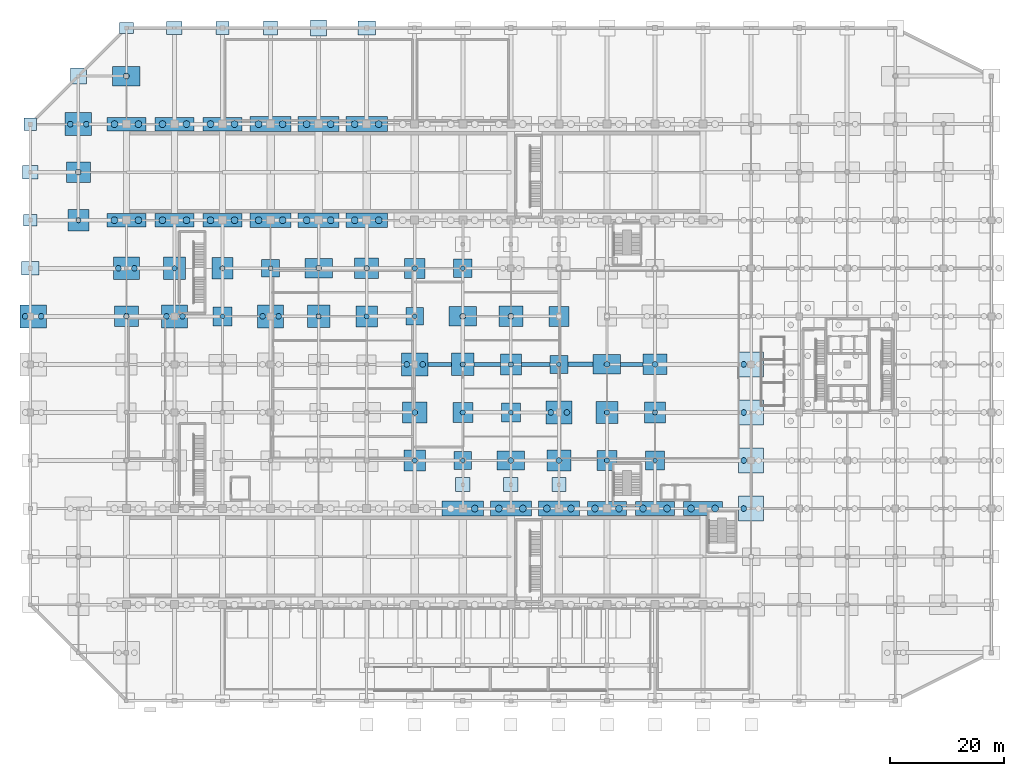
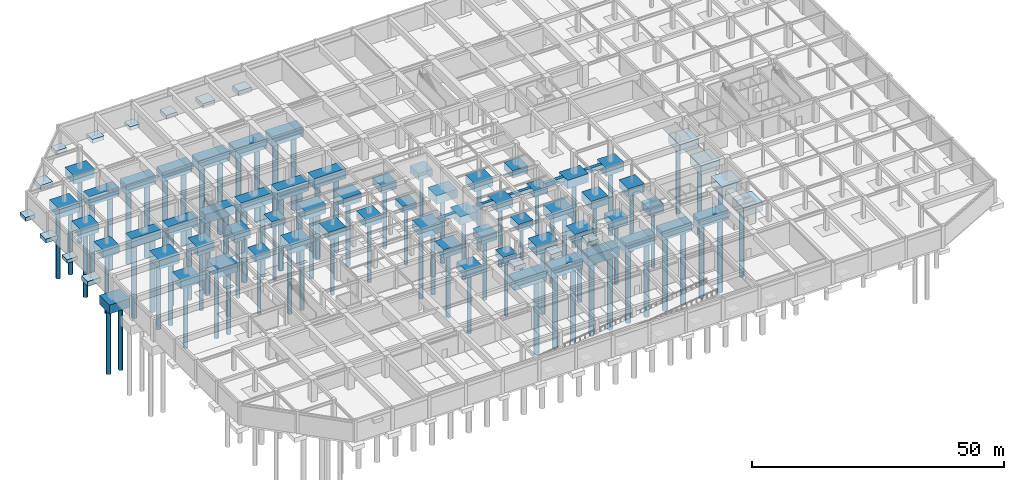
# One storey, part 2 of 26: 86 piles, 82 footings.
"""IFC4 building model written with IfcOpenShell, lengths in metres."""

from ifc_helpers import new_model, si_unit, direction, frame, origin, origin_2d, place, context, subcontext, project, spatial, rectangle, circle, extrude, material, material_profile, profile_set, type_object, element, save


model = new_model("IFC4")

# Units and contexts
model_context = context("Model", 3, precision=1e-05, world=origin(), true_north=direction((0.0, 1.0)))
body_context = subcontext(model_context, "Body", "Model", "MODEL_VIEW")
ifc_project = project(units=[si_unit("LENGTHUNIT", "METRE"), si_unit("AREAUNIT", "SQUARE_METRE"), si_unit("VOLUMEUNIT", "CUBIC_METRE"), si_unit("PLANEANGLEUNIT", "RADIAN"), si_unit("MASSUNIT", "GRAM", prefix="KILO")], contexts=[model_context])

# Site, building, storey
site_placement = place(None, origin())
site = spatial("IfcSite", under=ifc_project, at=site_placement, CompositionType="ELEMENT")
building_placement = place(site_placement, origin())
building = spatial("IfcBuilding", under=site, at=building_placement, Name="Xuanlan Plaza Opera House", CompositionType="ELEMENT")
storey_placement = place(building_placement, frame((0.0, 0.0, -5.39990234375)))
storey = spatial("IfcBuildingStorey", under=building, at=storey_placement, Name="B01", CompositionType="ELEMENT", Elevation=-5.39990234375)

# Footings
ifc_material_1 = material(Name="Concrete C40", Category="concrete")
footing_type_1 = type_object("IfcFootingType", Name="STR-FTG-FB-01", PredefinedType="FOOTING_BEAM", material=ifc_material_1)
footing_1_placement = place(storey_placement, frame((88.35009765625, 58.800048828125, -1.0), z_axis=(0.0, 0.0, 1.0), x_axis=(1.0, 0.0, 0.0)))
element("IfcFooting", 1, at=footing_1_placement, inside=storey, type_object=footing_type_1, Name="Foundation Tie Beam 11-12/H", PredefinedType="FOOTING_BEAM", context=body_context, shape_type="SweptSolid", body=[
    extrude(rectangle(XDim=5.0, YDim=0.699951171875, at=origin_2d()), origin(), (0.0, 0.0, 1.0), 1.0),
])
footing_type_2 = type_object("IfcFootingType", Name="STR-FTG-FB-02", PredefinedType="FOOTING_BEAM", material=ifc_material_1)
footing_2_placement = place(storey_placement, frame((96.175048828125, 58.800048828125, -1.10009765625), z_axis=(0.0, 0.0, 1.0), x_axis=(1.0, 0.0, 0.0)))
element("IfcFooting", 2, at=footing_2_placement, inside=storey, type_object=footing_type_2, Name="Foundation Tie Beam 12-13/H", PredefinedType="FOOTING_BEAM", context=body_context, shape_type="SweptSolid", body=[
    extrude(rectangle(XDim=4.449951171875, YDim=0.800048828125, at=origin_2d()), origin(), (0.0, 0.0, 1.0), 1.10009765625),
])
footing_type_3 = type_object("IfcFootingType", Name="STR-FTG-FB-03", PredefinedType="FOOTING_BEAM", material=ifc_material_1)
footing_3_placement = place(storey_placement, frame((71.574951171875, 58.800048828125, -1.05029296875), z_axis=(0.0, 0.0, 1.0), x_axis=(1.0, 0.0, 0.0)))
element("IfcFooting", 3, at=footing_3_placement, inside=storey, type_object=footing_type_3, Name="Foundation Tie Beam 9-10/H", PredefinedType="FOOTING_BEAM", context=body_context, shape_type="SweptSolid", body=[
    extrude(rectangle(XDim=4.14990234375, YDim=0.75, at=origin_2d()), origin(), (0.0, 0.0, 1.0), 1.050048828125),
])
footing_4_placement = place(storey_placement, frame((105.14990234375, 58.800048828125, -1.05029296875), z_axis=(0.0, 0.0, 1.0), x_axis=(1.0, 0.0, 0.0)))
element("IfcFooting", 4, at=footing_4_placement, inside=storey, type_object=footing_type_3, Name="Foundation Tie Beam 13-14/H", PredefinedType="FOOTING_BEAM", context=body_context, shape_type="SweptSolid", body=[
    extrude(rectangle(XDim=3.89990234375, YDim=0.75, at=origin_2d()), origin(), (0.0, 0.0, 1.0), 1.050048828125),
])
footing_type_4 = type_object("IfcFootingType", Name="STR-FTG-FB-04", PredefinedType="FOOTING_BEAM", material=ifc_material_1)
footing_5_placement = place(storey_placement, frame((79.85009765625, 58.800048828125, -0.9501953125), z_axis=(0.0, 0.0, 1.0), x_axis=(1.0, 0.0, 0.0)))
element("IfcFooting", 5, at=footing_5_placement, inside=storey, type_object=footing_type_4, Name="Foundation Tie Beam 10-11/H", PredefinedType="FOOTING_BEAM", context=body_context, shape_type="SweptSolid", body=[
    extrude(rectangle(XDim=4.60009765625, YDim=0.64990234375, at=origin_2d()), origin(), (0.0, 0.0, 1.0), 0.949951171875),
])
footing_type_5 = type_object("IfcFootingType", Name="STR-FTG-PC-01", PredefinedType="PILE_CAP", material=ifc_material_1)
for number, where, z_axis, x_axis, name in (
    (6, (42.0, 75.60009765625, -1.60009765625), (0.0, 0.0, 1.0), (1.0, 0.0, 0.0), "Podium Pile Cap 6-J"),
    (7, (67.199951171875, 67.199951171875, -1.60009765625), (0.0, 0.0, 1.0), (1.0, 0.0, 0.0), "Podium Pile Cap 9-I"),
    (8, (75.60009765625, 42.0, -1.60009765625), (0.0, 0.0, 1.0), (1.0, 0.0, 0.0), "Podium Pile Cap 10-F"),
    (9, (92.39990234375, 58.800048828125, -1.60009765625), (0.0, 0.0, 1.0), (1.0, 0.0, 0.0), "Podium Pile Cap 12-H"),
):
    element("IfcFooting", number, at=place(storey_placement, frame(where, z_axis=z_axis, x_axis=x_axis)), inside=storey, type_object=footing_type_5, Name=name, PredefinedType="PILE_CAP", context=body_context, shape_type="SweptSolid", body=[
        extrude(rectangle(XDim=3.10009765625, YDim=3.10009765625, at=origin_2d()), origin(), (0.0, 0.0, 1.0), 1.60009765625),
    ])
footing_type_6 = type_object("IfcFootingType", Name="STR-FTG-PC-02", PredefinedType="PILE_CAP", material=ifc_material_1)
for number, where, z_axis, x_axis, name in (
    (10, (67.199951171875, 75.60009765625, -1.80029296875), (0.0, 0.0, 1.0), (1.0, 0.0, 0.0), "Podium Pile Cap 9-J"),
    (11, (75.60009765625, 50.39990234375, -1.80029296875), (0.0, 0.0, 1.0), (1.0, 0.0, 0.0), "Podium Pile Cap 10-G"),
    (12, (92.39990234375, 67.199951171875, -1.80029296875), (0.0, 0.0, 1.0), (1.0, 0.0, 0.0), "Podium Pile Cap 12-I"),
    (13, (100.800048828125, 42.0, -1.80029296875), (0.0, 0.0, 1.0), (1.0, 0.0, 0.0), "Podium Pile Cap 13-F"),
):
    element("IfcFooting", number, at=place(storey_placement, frame(where, z_axis=z_axis, x_axis=x_axis)), inside=storey, type_object=footing_type_6, Name=name, PredefinedType="PILE_CAP", context=body_context, shape_type="SweptSolid", body=[
        extrude(rectangle(XDim=3.5, YDim=3.5, at=origin_2d()), origin(), (0.0, 0.0, 1.0), 1.800048828125),
    ])
ifc_material_2 = material(Name="Concrete C50", Category="concrete")
footing_type_7 = type_object("IfcFootingType", Name="STR-FTG-PC-03", PredefinedType="PILE_CAP", material=ifc_material_2)
for number, where, z_axis, x_axis, name in (
    (14, (25.199951171875, 75.60009765625, -2.0), (0.0, 0.0, 1.0), (1.0, 0.0, 0.0), "Podium Pile Cap 4-J"),
    (15, (50.39990234375, 67.199951171875, -2.0), (0.0, 0.0, 1.0), (1.0, 0.0, 0.0), "Podium Pile Cap 7-I"),
    (16, (75.60009765625, 58.800048828125, -2.0), (0.0, 0.0, 1.0), (1.0, 0.0, 0.0), "Podium Pile Cap 10-H"),
    (17, (100.800048828125, 50.39990234375, -2.0), (0.0, 0.0, 1.0), (1.0, 0.0, 0.0), "Podium Pile Cap 13-G"),
):
    element("IfcFooting", number, at=place(storey_placement, frame(where, z_axis=z_axis, x_axis=x_axis)), inside=storey, type_object=footing_type_7, Name=name, PredefinedType="PILE_CAP", context=body_context, shape_type="SweptSolid", body=[
        extrude(rectangle(XDim=3.89990234375, YDim=3.89990234375, at=origin_2d()), origin(), (0.0, 0.0, 1.0), 2.0),
    ])
footing_type_8 = type_object("IfcFootingType", Name="STR-FTG-PC-04", PredefinedType="PILE_CAP", material=ifc_material_2)
for number, where, z_axis, x_axis, name in (
    (18, (126.0, 33.60009765625, -2.2001953125), (0.0, 0.0, 1.0), (1.0, 0.0, 0.0), "Tower Pile Cap 16-E"),
    (19, (126.0, 42.0, -2.2001953125), (0.0, 0.0, 1.0), (1.0, 0.0, 0.0), "Tower Pile Cap 16-F"),
    (20, (126.0, 50.39990234375, -2.2001953125), (0.0, 0.0, 1.0), (1.0, 0.0, 0.0), "Tower Pile Cap 16-G"),
    (21, (126.0, 58.800048828125, -2.2001953125), (0.0, 0.0, 1.0), (1.0, 0.0, 0.0), "Tower Pile Cap 16-H"),
):
    element("IfcFooting", number, at=place(storey_placement, frame(where, z_axis=z_axis, x_axis=x_axis)), inside=storey, type_object=footing_type_8, Name=name, PredefinedType="PILE_CAP", context=body_context, shape_type="SweptSolid", body=[
        extrude(rectangle(XDim=4.39990234375, YDim=4.39990234375, at=origin_2d()), origin(), (0.0, 0.0, 1.0), 2.199951171875),
    ])
footing_type_9 = type_object("IfcFootingType", Name="STR-FTG-PC-05", PredefinedType="PILE_CAP", material=ifc_material_2)
for number, where, z_axis, x_axis, name in (
    (22, (16.800048828125, 84.0, -2.2001953125), (0.0, 0.0, 1.0), (1.0, 0.0, 0.0), "Metro Transfer Pile Cap 3-K"),
    (23, (16.800048828125, 100.800048828125, -2.2001953125), (0.0, 0.0, 1.0), (1.0, 0.0, 0.0), "Metro Transfer Pile Cap 3-M"),
    (24, (25.199951171875, 84.0, -2.2001953125), (0.0, 0.0, 1.0), (1.0, 0.0, 0.0), "Metro Transfer Pile Cap 4-K"),
    (25, (25.199951171875, 100.800048828125, -2.2001953125), (0.0, 0.0, 1.0), (1.0, 0.0, 0.0), "Metro Transfer Pile Cap 4-M"),
    (26, (33.60009765625, 84.0, -2.2001953125), (0.0, 0.0, 1.0), (1.0, 0.0, 0.0), "Metro Transfer Pile Cap 5-K"),
    (27, (33.60009765625, 100.800048828125, -2.2001953125), (0.0, 0.0, 1.0), (1.0, 0.0, 0.0), "Metro Transfer Pile Cap 5-M"),
    (28, (100.800048828125, 33.60009765625, -2.2001953125), (0.0, 0.0, 1.0), (1.0, 0.0, 0.0), "Metro Transfer Pile Cap 13-E"),
    (29, (109.199951171875, 33.60009765625, -2.2001953125), (0.0, 0.0, 1.0), (1.0, 0.0, 0.0), "Metro Transfer Pile Cap 14-E"),
    (30, (117.60009765625, 33.60009765625, -2.2001953125), (0.0, 0.0, 1.0), (1.0, 0.0, 0.0), "Metro Transfer Pile Cap 15-E"),
):
    element("IfcFooting", number, at=place(storey_placement, frame(where, z_axis=z_axis, x_axis=x_axis)), inside=storey, type_object=footing_type_9, Name=name, PredefinedType="PILE_CAP", context=body_context, shape_type="SweptSolid", body=[
        extrude(rectangle(XDim=6.800048828125, YDim=2.39990234375, at=origin_2d()), origin(), (0.0, 0.0, 1.0), 2.199951171875),
    ])
footing_type_10 = type_object("IfcFootingType", Name="STR-FTG-PC-06", PredefinedType="PILE_CAP", material=ifc_material_2)
for number, where, z_axis, x_axis, name in (
    (31, (42.0, 84.0, -2.400146484375), (0.0, 0.0, 1.0), (1.0, 0.0, 0.0), "Metro Transfer Pile Cap 6-K"),
    (32, (42.0, 100.800048828125, -2.400146484375), (0.0, 0.0, 1.0), (1.0, 0.0, 0.0), "Metro Transfer Pile Cap 6-M"),
    (33, (50.39990234375, 84.0, -2.400146484375), (0.0, 0.0, 1.0), (1.0, 0.0, 0.0), "Metro Transfer Pile Cap 7-K"),
    (34, (50.39990234375, 100.800048828125, -2.400146484375), (0.0, 0.0, 1.0), (1.0, 0.0, 0.0), "Metro Transfer Pile Cap 7-M"),
    (35, (58.800048828125, 84.0, -2.400146484375), (0.0, 0.0, 1.0), (1.0, 0.0, 0.0), "Metro Transfer Pile Cap 8-K"),
    (36, (58.800048828125, 100.800048828125, -2.400146484375), (0.0, 0.0, 1.0), (1.0, 0.0, 0.0), "Metro Transfer Pile Cap 8-M"),
    (37, (75.60009765625, 33.60009765625, -2.400146484375), (0.0, 0.0, 1.0), (1.0, 0.0, 0.0), "Metro Transfer Pile Cap 10-E"),
    (38, (84.0, 33.60009765625, -2.400146484375), (0.0, 0.0, 1.0), (1.0, 0.0, 0.0), "Metro Transfer Pile Cap 11-E"),
    (39, (92.39990234375, 33.60009765625, -2.400146484375), (0.0, 0.0, 1.0), (1.0, 0.0, 0.0), "Metro Transfer Pile Cap 12-E"),
):
    element("IfcFooting", number, at=place(storey_placement, frame(where, z_axis=z_axis, x_axis=x_axis)), inside=storey, type_object=footing_type_10, Name=name, PredefinedType="PILE_CAP", context=body_context, shape_type="SweptSolid", body=[
        extrude(rectangle(XDim=7.199951171875, YDim=2.60009765625, at=origin_2d()), origin(), (0.0, 0.0, 1.0), 2.39990234375),
    ])
footing_type_11 = type_object("IfcFootingType", Name="STR-FTG-PC-07", PredefinedType="PILE_CAP", material=ifc_material_2)
for number, where, z_axis, x_axis, name in (
    (40, (16.800048828125, 109.199951171875, -2.10009765625), (0.0, 0.0, 1.0), (1.0, 0.0, 0.0), "Podium Pile Cap 3-N"),
    (41, (50.39990234375, 75.60009765625, -2.10009765625), (0.0, 0.0, 1.0), (1.0, 0.0, 0.0), "Podium Pile Cap 7-J"),
    (42, (75.60009765625, 67.199951171875, -2.10009765625), (0.0, 0.0, 1.0), (1.0, 0.0, 0.0), "Podium Pile Cap 10-I"),
    (43, (84.0, 42.0, -2.10009765625), (0.0, 0.0, 1.0), (1.0, 0.0, 0.0), "Podium Pile Cap 11-F"),
    (44, (100.800048828125, 58.800048828125, -2.10009765625), (0.0, 0.0, 1.0), (1.0, 0.0, 0.0), "Podium Pile Cap 13-H"),
):
    element("IfcFooting", number, at=place(storey_placement, frame(where, z_axis=z_axis, x_axis=x_axis)), inside=storey, type_object=footing_type_11, Name=name, PredefinedType="PILE_CAP", context=body_context, shape_type="SweptSolid", body=[
        extrude(rectangle(XDim=4.800048828125, YDim=3.39990234375, at=origin_2d()), origin(), (0.0, 0.0, 1.0), 2.10009765625),
    ])
footing_type_12 = type_object("IfcFootingType", Name="STR-FTG-PC-09", PredefinedType="PILE_CAP", material=ifc_material_1)
for number, where, z_axis, x_axis, name in (
    (45, (33.60009765625, 67.199951171875, -1.7001953125), (0.0, 0.0, 1.0), (1.0, 0.0, 0.0), "Podium Pile Cap 5-I"),
    (46, (75.60009765625, 75.60009765625, -1.7001953125), (0.0, 0.0, 1.0), (1.0, 0.0, 0.0), "Podium Pile Cap 10-J"),
    (47, (84.0, 50.39990234375, -1.7001953125), (0.0, 0.0, 1.0), (1.0, 0.0, 0.0), "Podium Pile Cap 11-G"),
    (48, (109.199951171875, 42.0, -1.7001953125), (0.0, 0.0, 1.0), (1.0, 0.0, 0.0), "Podium Pile Cap 14-F"),
):
    element("IfcFooting", number, at=place(storey_placement, frame(where, z_axis=z_axis, x_axis=x_axis)), inside=storey, type_object=footing_type_12, Name=name, PredefinedType="PILE_CAP", context=body_context, shape_type="SweptSolid", body=[
        extrude(rectangle(XDim=3.300048828125, YDim=3.300048828125, at=origin_2d()), origin(), (0.0, 0.0, 1.0), 1.699951171875),
    ])
footing_type_13 = type_object("IfcFootingType", Name="STR-FTG-PC-10", PredefinedType="PILE_CAP", material=ifc_material_1)
for number, where, z_axis, x_axis, name in (
    (49, (8.39990234375, 84.0, -1.900146484375), (0.0, 0.0, 1.0), (1.0, 0.0, 0.0), "Podium Pile Cap 2-K"),
    (50, (33.60009765625, 75.60009765625, -1.900146484375), (0.0, 0.0, 1.0), (1.0, 0.0, 0.0), "Podium Pile Cap 5-J"),
    (51, (58.800048828125, 67.199951171875, -1.900146484375), (0.0, 0.0, 1.0), (1.0, 0.0, 0.0), "Podium Pile Cap 8-I"),
    (52, (67.199951171875, 42.0, -1.900146484375), (0.0, 0.0, 1.0), (1.0, 0.0, 0.0), "Podium Pile Cap 9-F"),
    (53, (84.0, 58.800048828125, -1.900146484375), (0.0, 0.0, 1.0), (1.0, 0.0, 0.0), "Podium Pile Cap 11-H"),
    (54, (109.199951171875, 50.39990234375, -1.900146484375), (0.0, 0.0, 1.0), (1.0, 0.0, 0.0), "Podium Pile Cap 14-G"),
):
    element("IfcFooting", number, at=place(storey_placement, frame(where, z_axis=z_axis, x_axis=x_axis)), inside=storey, type_object=footing_type_13, Name=name, PredefinedType="PILE_CAP", context=body_context, shape_type="SweptSolid", body=[
        extrude(rectangle(XDim=3.699951171875, YDim=3.699951171875, at=origin_2d()), origin(), (0.0, 0.0, 1.0), 1.89990234375),
    ])
footing_type_14 = type_object("IfcFootingType", Name="STR-FTG-PC-11", PredefinedType="PILE_CAP", material=ifc_material_2)
for number, where, z_axis, x_axis, name in (
    (55, (8.39990234375, 92.39990234375, -2.05029296875), (0.0, 0.0, 1.0), (1.0, 0.0, 0.0), "Podium Pile Cap 2-L"),
    (56, (16.800048828125, 67.199951171875, -2.05029296875), (0.0, 0.0, 1.0), (1.0, 0.0, 0.0), "Podium Pile Cap 3-I"),
    (57, (58.800048828125, 75.60009765625, -2.05029296875), (0.0, 0.0, 1.0), (1.0, 0.0, 0.0), "Podium Pile Cap 8-J"),
    (58, (67.199951171875, 50.39990234375, -2.05029296875), (0.0, 0.0, 1.0), (1.0, 0.0, 0.0), "Podium Pile Cap 9-G"),
    (59, (84.0, 67.199951171875, -2.05029296875), (0.0, 0.0, 1.0), (1.0, 0.0, 0.0), "Podium Pile Cap 11-I"),
    (60, (92.39990234375, 42.0, -2.05029296875), (0.0, 0.0, 1.0), (1.0, 0.0, 0.0), "Podium Pile Cap 12-F"),
    (61, (109.199951171875, 58.800048828125, -2.05029296875), (0.0, 0.0, 1.0), (1.0, 0.0, 0.0), "Podium Pile Cap 14-H"),
):
    element("IfcFooting", number, at=place(storey_placement, frame(where, z_axis=z_axis, x_axis=x_axis)), inside=storey, type_object=footing_type_14, Name=name, PredefinedType="PILE_CAP", context=body_context, shape_type="SweptSolid", body=[
        extrude(rectangle(XDim=4.199951171875, YDim=3.60009765625, at=origin_2d()), origin(), (0.0, 0.0, 1.0), 2.050048828125),
    ])
footing_type_15 = type_object("IfcFootingType", Name="STR-FTG-PC-12", PredefinedType="PILE_CAP", material=ifc_material_2)
for number, where, z_axis, x_axis, name in (
    (62, (0.5, 67.199951171875, -2.150146484375), (0.0, 0.0, 1.0), (1.0, 0.0, 0.0), "Heavy Girder Transfer Pile Cap 1-I"),
    (63, (8.39990234375, 100.800048828125, -2.150146484375), (0.0, 0.0, 1.0), (1.0, 0.0, 0.0), "Podium Pile Cap 2-M"),
    (64, (16.800048828125, 75.60009765625, -2.150146484375), (0.0, 0.0, 1.0), (1.0, 0.0, 0.0), "Podium Pile Cap 3-J"),
    (65, (25.199951171875, 67.199951171875, -2.150146484375), (0.0, 0.0, 1.0), (1.0, 0.0, 0.0), "Heavy Girder Transfer Pile Cap 4-I"),
    (66, (42.0, 67.199951171875, -2.150146484375), (0.0, 0.0, 1.0), (1.0, 0.0, 0.0), "Heavy Girder Transfer Pile Cap 6-I"),
    (67, (67.199951171875, 58.800048828125, -2.150146484375), (0.0, 0.0, 1.0), (1.0, 0.0, 0.0), "Podium Pile Cap 9-H"),
    (68, (92.39990234375, 50.39990234375, -2.150146484375), (0.0, 0.0, 1.0), (1.0, 0.0, 0.0), "Podium Pile Cap 12-G"),
):
    element("IfcFooting", number, at=place(storey_placement, frame(where, z_axis=z_axis, x_axis=x_axis)), inside=storey, type_object=footing_type_15, Name=name, PredefinedType="PILE_CAP", context=body_context, shape_type="SweptSolid", body=[
        extrude(rectangle(XDim=4.60009765625, YDim=4.0, at=origin_2d()), origin(), (0.0, 0.0, 1.0), 2.14990234375),
    ])
footing_type_16 = type_object("IfcFootingType", Name="STR-FTG-PF-01", PredefinedType="PAD_FOOTING", material=ifc_material_1)
for number, where, z_axis, x_axis, name in (
    (69, (0.0, 100.800048828125, -0.900146484375), (0.0, 0.0, 1.0), (1.0, 0.0, 0.0), "Perimeter Pad Footing 1-M"),
    (70, (33.60009765625, 117.60009765625, -0.900146484375), (0.0, 0.0, 1.0), (1.0, 0.0, 0.0), "Perimeter Pad Footing 5-O"),
):
    element("IfcFooting", number, at=place(storey_placement, frame(where, z_axis=z_axis, x_axis=x_axis)), inside=storey, type_object=footing_type_16, Name=name, PredefinedType="PAD_FOOTING", context=body_context, shape_type="SweptSolid", body=[
        extrude(rectangle(XDim=2.199951171875, YDim=2.199951171875, at=origin_2d()), origin(), (0.0, 0.0, 1.0), 0.89990234375),
    ])
footing_type_17 = type_object("IfcFootingType", Name="STR-FTG-PF-02", PredefinedType="PAD_FOOTING", material=ifc_material_1)
for number, where, z_axis, x_axis, name in (
    (71, (42.0, 117.60009765625, -1.0), (0.0, 0.0, 1.0), (1.0, 0.0, 0.0), "Perimeter Pad Footing 6-O"),
    (72, (75.60009765625, 37.800048828125, -1.0), (0.0, 0.0, 1.0), (1.0, 0.0, 0.0), "Side Tier Support Pad Footing S X75"),
    (73, (84.0, 37.800048828125, -1.0), (0.0, 0.0, 1.0), (1.0, 0.0, 0.0), "Side Tier Support Pad Footing S X84"),
    (74, (92.39990234375, 37.800048828125, -1.0), (0.0, 0.0, 1.0), (1.0, 0.0, 0.0), "Side Tier Support Pad Footing S X92"),
):
    element("IfcFooting", number, at=place(storey_placement, frame(where, z_axis=z_axis, x_axis=x_axis)), inside=storey, type_object=footing_type_17, Name=name, PredefinedType="PAD_FOOTING", context=body_context, shape_type="SweptSolid", body=[
        extrude(rectangle(XDim=2.5, YDim=2.5, at=origin_2d()), origin(), (0.0, 0.0, 1.0), 1.0),
    ])
footing_type_18 = type_object("IfcFootingType", Name="STR-FTG-PF-03", PredefinedType="PAD_FOOTING", material=ifc_material_1)
for number, where, z_axis, x_axis, name in (
    (75, (8.39990234375, 109.199951171875, -1.10009765625), (0.0, 0.0, 1.0), (1.0, 0.0, 0.0), "Perimeter Pad Footing 2-N"),
    (76, (50.39990234375, 117.60009765625, -1.10009765625), (0.0, 0.0, 1.0), (1.0, 0.0, 0.0), "Perimeter Pad Footing 7-O"),
):
    element("IfcFooting", number, at=place(storey_placement, frame(where, z_axis=z_axis, x_axis=x_axis)), inside=storey, type_object=footing_type_18, Name=name, PredefinedType="PAD_FOOTING", context=body_context, shape_type="SweptSolid", body=[
        extrude(rectangle(XDim=2.800048828125, YDim=2.800048828125, at=origin_2d()), origin(), (0.0, 0.0, 1.0), 1.10009765625),
    ])
footing_type_19 = type_object("IfcFootingType", Name="STR-FTG-PF-04", PredefinedType="PAD_FOOTING", material=ifc_material_1)
for number, where, z_axis, x_axis, name in (
    (77, (0.0, 75.60009765625, -1.150146484375), (0.0, 0.0, 1.0), (1.0, 0.0, 0.0), "Perimeter Pad Footing 1-J"),
    (78, (58.800048828125, 117.60009765625, -1.150146484375), (0.0, 0.0, 1.0), (1.0, 0.0, 0.0), "Perimeter Pad Footing 8-O"),
):
    element("IfcFooting", number, at=place(storey_placement, frame(where, z_axis=z_axis, x_axis=x_axis)), inside=storey, type_object=footing_type_19, Name=name, PredefinedType="PAD_FOOTING", context=body_context, shape_type="SweptSolid", body=[
        extrude(rectangle(XDim=3.0, YDim=2.39990234375, at=origin_2d()), origin(), (0.0, 0.0, 1.0), 1.14990234375),
    ])
footing_type_20 = type_object("IfcFootingType", Name="STR-FTG-PF-05", PredefinedType="PAD_FOOTING", material=ifc_material_1)
for number, where, z_axis, x_axis, name in (
    (79, (0.0, 84.0, -0.85009765625), (0.0, 0.0, 1.0), (1.0, 0.0, 0.0), "Perimeter Pad Footing 1-K"),
    (80, (16.800048828125, 117.60009765625, -0.85009765625), (0.0, 0.0, 1.0), (1.0, 0.0, 0.0), "Perimeter Pad Footing 3-O"),
):
    element("IfcFooting", number, at=place(storey_placement, frame(where, z_axis=z_axis, x_axis=x_axis)), inside=storey, type_object=footing_type_20, Name=name, PredefinedType="PAD_FOOTING", context=body_context, shape_type="SweptSolid", body=[
        extrude(rectangle(XDim=2.39990234375, YDim=2.0, at=origin_2d()), origin(), (0.0, 0.0, 1.0), 0.85009765625),
    ])
footing_type_21 = type_object("IfcFootingType", Name="STR-FTG-PF-06", PredefinedType="PAD_FOOTING", material=ifc_material_1)
for number, where, z_axis, x_axis, name in (
    (81, (0.0, 92.39990234375, -0.9501953125), (0.0, 0.0, 1.0), (1.0, 0.0, 0.0), "Perimeter Pad Footing 1-L"),
    (82, (25.199951171875, 117.60009765625, -0.9501953125), (0.0, 0.0, 1.0), (1.0, 0.0, 0.0), "Perimeter Pad Footing 4-O"),
):
    element("IfcFooting", number, at=place(storey_placement, frame(where, z_axis=z_axis, x_axis=x_axis)), inside=storey, type_object=footing_type_21, Name=name, PredefinedType="PAD_FOOTING", context=body_context, shape_type="SweptSolid", body=[
        extrude(rectangle(XDim=2.699951171875, YDim=2.300048828125, at=origin_2d()), origin(), (0.0, 0.0, 1.0), 0.949951171875),
    ])

# Piles
ifc_material_profile_1 = material_profile(ifc_material_1, circle(Radius=0.39990234375, at=origin_2d()), Name="PILE D800")
ifc_profile_set_1 = profile_set([ifc_material_profile_1], Name="Concrete C40")
pile_type_1 = type_object("IfcPileType", Name="STR-PILE-01", PredefinedType="BORED", material=ifc_profile_set_1)
for number, where, z_axis, x_axis, name in (
    (83, (33.60009765625, 67.199951171875, -1.550048828125), (0.0, 0.0, -1.0), (1.0, 0.0, 0.0), "Bored Pile 5-I-P1"),
    (84, (42.0, 75.60009765625, -1.4501953125), (0.0, 0.0, -1.0), (1.0, 0.0, 0.0), "Bored Pile 6-J-P1"),
    (85, (67.199951171875, 67.199951171875, -1.4501953125), (0.0, 0.0, -1.0), (1.0, 0.0, 0.0), "Bored Pile 9-I-P1"),
    (86, (75.60009765625, 42.0, -1.4501953125), (0.0, 0.0, -1.0), (1.0, 0.0, 0.0), "Bored Pile 10-F-P1"),
    (87, (75.60009765625, 75.60009765625, -1.550048828125), (0.0, 0.0, -1.0), (1.0, 0.0, 0.0), "Bored Pile 10-J-P1"),
    (88, (84.0, 50.39990234375, -1.550048828125), (0.0, 0.0, -1.0), (1.0, 0.0, 0.0), "Bored Pile 11-G-P1"),
    (89, (92.39990234375, 58.800048828125, -1.4501953125), (0.0, 0.0, -1.0), (1.0, 0.0, 0.0), "Bored Pile 12-H-P1"),
    (90, (109.199951171875, 42.0, -1.550048828125), (0.0, 0.0, -1.0), (1.0, 0.0, 0.0), "Bored Pile 14-F-P1"),
):
    element("IfcPile", number, at=place(storey_placement, frame(where, z_axis=z_axis, x_axis=x_axis)), inside=storey, type_object=pile_type_1, Name=name, PredefinedType="BORED", context=body_context, shape_type="SweptSolid", body=[
        extrude(circle(Radius=0.39990234375, at=origin_2d()), origin(), (0.0, 0.0, 1.0), 14.0),
    ])
ifc_material_profile_2 = material_profile(ifc_material_1, circle(Radius=0.449951171875, at=origin_2d()), Name="PILE D900")
ifc_profile_set_2 = profile_set([ifc_material_profile_2], Name="Concrete C40")
pile_type_2 = type_object("IfcPileType", Name="STR-PILE-02", PredefinedType="BORED", material=ifc_profile_set_2)
for number, where, z_axis, x_axis, name in (
    (91, (8.39990234375, 84.0, -1.75), (0.0, 0.0, -1.0), (1.0, 0.0, 0.0), "Bored Pile 2-K-P1"),
    (92, (25.199951171875, 75.60009765625, -1.85009765625), (0.0, 0.0, -1.0), (1.0, 0.0, 0.0), "Bored Pile 4-J-P1"),
    (93, (33.60009765625, 75.60009765625, -1.75), (0.0, 0.0, -1.0), (1.0, 0.0, 0.0), "Bored Pile 5-J-P1"),
    (94, (50.39990234375, 67.199951171875, -1.85009765625), (0.0, 0.0, -1.0), (1.0, 0.0, 0.0), "Bored Pile 7-I-P1"),
    (95, (58.800048828125, 67.199951171875, -1.75), (0.0, 0.0, -1.0), (1.0, 0.0, 0.0), "Bored Pile 8-I-P1"),
    (96, (67.199951171875, 42.0, -1.75), (0.0, 0.0, -1.0), (1.0, 0.0, 0.0), "Bored Pile 9-F-P1"),
    (97, (67.199951171875, 75.60009765625, -1.650146484375), (0.0, 0.0, -1.0), (1.0, 0.0, 0.0), "Bored Pile 9-J-P1"),
    (98, (75.60009765625, 50.39990234375, -1.650146484375), (0.0, 0.0, -1.0), (1.0, 0.0, 0.0), "Bored Pile 10-G-P1"),
    (99, (75.60009765625, 58.800048828125, -1.85009765625), (0.0, 0.0, -1.0), (1.0, 0.0, 0.0), "Bored Pile 10-H-P1"),
    (100, (84.0, 58.800048828125, -1.75), (0.0, 0.0, -1.0), (1.0, 0.0, 0.0), "Bored Pile 11-H-P1"),
    (101, (100.800048828125, 42.0, -1.650146484375), (0.0, 0.0, -1.0), (1.0, 0.0, 0.0), "Bored Pile 13-F-P1"),
    (102, (100.800048828125, 50.39990234375, -1.85009765625), (0.0, 0.0, -1.0), (1.0, 0.0, 0.0), "Bored Pile 13-G-P1"),
    (103, (109.199951171875, 50.39990234375, -1.75), (0.0, 0.0, -1.0), (1.0, 0.0, 0.0), "Bored Pile 14-G-P1"),
):
    element("IfcPile", number, at=place(storey_placement, frame(where, z_axis=z_axis, x_axis=x_axis)), inside=storey, type_object=pile_type_2, Name=name, PredefinedType="BORED", context=body_context, shape_type="SweptSolid", body=[
        extrude(circle(Radius=0.449951171875, at=origin_2d()), origin(), (0.0, 0.0, 1.0), 15.0),
    ])
ifc_material_profile_3 = material_profile(ifc_material_1, circle(Radius=0.5, at=origin_2d()), Name="PILE D1000")
ifc_profile_set_3 = profile_set([ifc_material_profile_3], Name="Concrete C40")
pile_type_3 = type_object("IfcPileType", Name="STR-PILE-03", PredefinedType="BORED", material=ifc_profile_set_3)
for number, where, z_axis, x_axis, name in (
    (104, (-0.89990234375, 67.199951171875, -2.0), (0.0, 0.0, -1.0), (1.0, 0.0, 0.0), "Bored Pile 1-I-P1"),
    (105, (1.89990234375, 67.199951171875, -2.0), (0.0, 0.0, -1.0), (1.0, 0.0, 0.0), "Bored Pile 1-I-P2"),
    (106, (8.39990234375, 92.39990234375, -1.900146484375), (0.0, 0.0, -1.0), (1.0, 0.0, 0.0), "Bored Pile 2-L-P1"),
    (107, (7.0, 100.800048828125, -2.0), (0.0, 0.0, -1.0), (1.0, 0.0, 0.0), "Bored Pile 2-M-P1"),
    (108, (9.800048828125, 100.800048828125, -2.0), (0.0, 0.0, -1.0), (1.0, 0.0, 0.0), "Bored Pile 2-M-P2"),
    (109, (16.800048828125, 67.199951171875, -1.900146484375), (0.0, 0.0, -1.0), (1.0, 0.0, 0.0), "Bored Pile 3-I-P1"),
    (110, (15.39990234375, 75.60009765625, -2.0), (0.0, 0.0, -1.0), (1.0, 0.0, 0.0), "Bored Pile 3-J-P1"),
    (111, (18.199951171875, 75.60009765625, -2.0), (0.0, 0.0, -1.0), (1.0, 0.0, 0.0), "Bored Pile 3-J-P2"),
    (112, (16.800048828125, 109.199951171875, -1.9501953125), (0.0, 0.0, -1.0), (1.0, 0.0, 0.0), "Bored Pile 3-N-P1"),
    (113, (23.800048828125, 67.199951171875, -2.0), (0.0, 0.0, -1.0), (1.0, 0.0, 0.0), "Bored Pile 4-I-P1"),
    (114, (26.60009765625, 67.199951171875, -2.0), (0.0, 0.0, -1.0), (1.0, 0.0, 0.0), "Bored Pile 4-I-P2"),
    (115, (40.60009765625, 67.199951171875, -2.0), (0.0, 0.0, -1.0), (1.0, 0.0, 0.0), "Bored Pile 6-I-P1"),
    (116, (43.39990234375, 67.199951171875, -2.0), (0.0, 0.0, -1.0), (1.0, 0.0, 0.0), "Bored Pile 6-I-P2"),
    (117, (50.39990234375, 75.60009765625, -1.9501953125), (0.0, 0.0, -1.0), (1.0, 0.0, 0.0), "Bored Pile 7-J-P1"),
    (118, (58.800048828125, 75.60009765625, -1.900146484375), (0.0, 0.0, -1.0), (1.0, 0.0, 0.0), "Bored Pile 8-J-P1"),
    (119, (67.199951171875, 50.39990234375, -1.900146484375), (0.0, 0.0, -1.0), (1.0, 0.0, 0.0), "Bored Pile 9-G-P1"),
    (120, (65.800048828125, 58.800048828125, -2.0), (0.0, 0.0, -1.0), (1.0, 0.0, 0.0), "Bored Pile 9-H-P1"),
    (121, (68.60009765625, 58.800048828125, -2.0), (0.0, 0.0, -1.0), (1.0, 0.0, 0.0), "Bored Pile 9-H-P2"),
    (122, (75.60009765625, 67.199951171875, -1.9501953125), (0.0, 0.0, -1.0), (1.0, 0.0, 0.0), "Bored Pile 10-I-P1"),
    (123, (84.0, 42.0, -1.9501953125), (0.0, 0.0, -1.0), (1.0, 0.0, 0.0), "Bored Pile 11-F-P1"),
    (124, (84.0, 67.199951171875, -1.900146484375), (0.0, 0.0, -1.0), (1.0, 0.0, 0.0), "Bored Pile 11-I-P1"),
    (125, (92.39990234375, 42.0, -1.900146484375), (0.0, 0.0, -1.0), (1.0, 0.0, 0.0), "Bored Pile 12-F-P1"),
    (126, (91.0, 50.39990234375, -2.0), (0.0, 0.0, -1.0), (1.0, 0.0, 0.0), "Bored Pile 12-G-P1"),
    (127, (93.800048828125, 50.39990234375, -2.0), (0.0, 0.0, -1.0), (1.0, 0.0, 0.0), "Bored Pile 12-G-P2"),
    (128, (100.800048828125, 58.800048828125, -1.9501953125), (0.0, 0.0, -1.0), (1.0, 0.0, 0.0), "Bored Pile 13-H-P1"),
    (129, (109.199951171875, 58.800048828125, -1.900146484375), (0.0, 0.0, -1.0), (1.0, 0.0, 0.0), "Bored Pile 14-H-P1"),
    (130, (124.699951171875, 33.60009765625, -2.050048828125), (0.0, 0.0, -1.0), (1.0, 0.0, 0.0), "Bored Pile 16-E-P1"),
    (131, (124.699951171875, 42.0, -2.050048828125), (0.0, 0.0, -1.0), (1.0, 0.0, 0.0), "Bored Pile 16-F-P1"),
    (132, (124.699951171875, 50.39990234375, -2.050048828125), (0.0, 0.0, -1.0), (1.0, 0.0, 0.0), "Bored Pile 16-G-P1"),
    (133, (124.699951171875, 58.800048828125, -2.050048828125), (0.0, 0.0, -1.0), (1.0, 0.0, 0.0), "Bored Pile 16-H-P1"),
):
    element("IfcPile", number, at=place(storey_placement, frame(where, z_axis=z_axis, x_axis=x_axis)), inside=storey, type_object=pile_type_3, Name=name, PredefinedType="BORED", context=body_context, shape_type="SweptSolid", body=[
        extrude(circle(Radius=0.5, at=origin_2d()), origin(), (0.0, 0.0, 1.0), 16.0),
    ])
ifc_material_profile_4 = material_profile(ifc_material_1, circle(Radius=0.60009765625, at=origin_2d()), Name="PILE D1200")
ifc_profile_set_4 = profile_set([ifc_material_profile_4], Name="Concrete C40")
pile_type_4 = type_object("IfcPileType", Name="STR-PILE-04", PredefinedType="BORED", material=ifc_profile_set_4)
for number, where, z_axis, x_axis, name in (
    (134, (14.699951171875, 84.0, -2.050048828125), (0.0, 0.0, -1.0), (1.0, 0.0, 0.0), "Bored Pile 3-K-P1"),
    (135, (18.89990234375, 84.0, -2.050048828125), (0.0, 0.0, -1.0), (1.0, 0.0, 0.0), "Bored Pile 3-K-P2"),
    (136, (14.699951171875, 100.800048828125, -2.050048828125), (0.0, 0.0, -1.0), (1.0, 0.0, 0.0), "Bored Pile 3-M-P1"),
    (137, (18.89990234375, 100.800048828125, -2.050048828125), (0.0, 0.0, -1.0), (1.0, 0.0, 0.0), "Bored Pile 3-M-P2"),
    (138, (23.10009765625, 84.0, -2.050048828125), (0.0, 0.0, -1.0), (1.0, 0.0, 0.0), "Bored Pile 4-K-P1"),
    (139, (27.300048828125, 84.0, -2.050048828125), (0.0, 0.0, -1.0), (1.0, 0.0, 0.0), "Bored Pile 4-K-P2"),
    (140, (23.10009765625, 100.800048828125, -2.050048828125), (0.0, 0.0, -1.0), (1.0, 0.0, 0.0), "Bored Pile 4-M-P1"),
    (141, (27.300048828125, 100.800048828125, -2.050048828125), (0.0, 0.0, -1.0), (1.0, 0.0, 0.0), "Bored Pile 4-M-P2"),
    (142, (31.5, 84.0, -2.050048828125), (0.0, 0.0, -1.0), (1.0, 0.0, 0.0), "Bored Pile 5-K-P1"),
    (143, (35.699951171875, 84.0, -2.050048828125), (0.0, 0.0, -1.0), (1.0, 0.0, 0.0), "Bored Pile 5-K-P2"),
    (144, (31.5, 100.800048828125, -2.050048828125), (0.0, 0.0, -1.0), (1.0, 0.0, 0.0), "Bored Pile 5-M-P1"),
    (145, (35.699951171875, 100.800048828125, -2.050048828125), (0.0, 0.0, -1.0), (1.0, 0.0, 0.0), "Bored Pile 5-M-P2"),
    (146, (39.89990234375, 84.0, -2.25), (0.0, 0.0, -1.0), (1.0, 0.0, 0.0), "Bored Pile 6-K-P1"),
    (147, (44.10009765625, 84.0, -2.25), (0.0, 0.0, -1.0), (1.0, 0.0, 0.0), "Bored Pile 6-K-P2"),
    (148, (39.89990234375, 100.800048828125, -2.25), (0.0, 0.0, -1.0), (1.0, 0.0, 0.0), "Bored Pile 6-M-P1"),
    (149, (44.10009765625, 100.800048828125, -2.25), (0.0, 0.0, -1.0), (1.0, 0.0, 0.0), "Bored Pile 6-M-P2"),
    (150, (48.300048828125, 84.0, -2.25), (0.0, 0.0, -1.0), (1.0, 0.0, 0.0), "Bored Pile 7-K-P1"),
    (151, (52.5, 84.0, -2.25), (0.0, 0.0, -1.0), (1.0, 0.0, 0.0), "Bored Pile 7-K-P2"),
    (152, (48.300048828125, 100.800048828125, -2.25), (0.0, 0.0, -1.0), (1.0, 0.0, 0.0), "Bored Pile 7-M-P1"),
    (153, (52.5, 100.800048828125, -2.25), (0.0, 0.0, -1.0), (1.0, 0.0, 0.0), "Bored Pile 7-M-P2"),
    (154, (56.699951171875, 84.0, -2.25), (0.0, 0.0, -1.0), (1.0, 0.0, 0.0), "Bored Pile 8-K-P1"),
    (155, (60.89990234375, 84.0, -2.25), (0.0, 0.0, -1.0), (1.0, 0.0, 0.0), "Bored Pile 8-K-P2"),
    (156, (56.699951171875, 100.800048828125, -2.25), (0.0, 0.0, -1.0), (1.0, 0.0, 0.0), "Bored Pile 8-M-P1"),
    (157, (60.89990234375, 100.800048828125, -2.25), (0.0, 0.0, -1.0), (1.0, 0.0, 0.0), "Bored Pile 8-M-P2"),
    (158, (77.699951171875, 33.60009765625, -2.25), (0.0, 0.0, -1.0), (1.0, 0.0, 0.0), "Bored Pile 10-E-P2"),
    (159, (81.89990234375, 33.60009765625, -2.25), (0.0, 0.0, -1.0), (1.0, 0.0, 0.0), "Bored Pile 11-E-P1"),
    (160, (86.10009765625, 33.60009765625, -2.25), (0.0, 0.0, -1.0), (1.0, 0.0, 0.0), "Bored Pile 11-E-P2"),
    (161, (90.300048828125, 33.60009765625, -2.25), (0.0, 0.0, -1.0), (1.0, 0.0, 0.0), "Bored Pile 12-E-P1"),
    (162, (94.5, 33.60009765625, -2.25), (0.0, 0.0, -1.0), (1.0, 0.0, 0.0), "Bored Pile 12-E-P2"),
    (163, (98.699951171875, 33.60009765625, -2.050048828125), (0.0, 0.0, -1.0), (1.0, 0.0, 0.0), "Bored Pile 13-E-P1"),
    (164, (102.89990234375, 33.60009765625, -2.050048828125), (0.0, 0.0, -1.0), (1.0, 0.0, 0.0), "Bored Pile 13-E-P2"),
    (165, (107.10009765625, 33.60009765625, -2.050048828125), (0.0, 0.0, -1.0), (1.0, 0.0, 0.0), "Bored Pile 14-E-P1"),
    (166, (111.300048828125, 33.60009765625, -2.050048828125), (0.0, 0.0, -1.0), (1.0, 0.0, 0.0), "Bored Pile 14-E-P2"),
    (167, (115.5, 33.60009765625, -2.050048828125), (0.0, 0.0, -1.0), (1.0, 0.0, 0.0), "Bored Pile 15-E-P1"),
    (168, (119.699951171875, 33.60009765625, -2.050048828125), (0.0, 0.0, -1.0), (1.0, 0.0, 0.0), "Bored Pile 15-E-P2"),
):
    element("IfcPile", number, at=place(storey_placement, frame(where, z_axis=z_axis, x_axis=x_axis)), inside=storey, type_object=pile_type_4, Name=name, PredefinedType="BORED", context=body_context, shape_type="SweptSolid", body=[
        extrude(circle(Radius=0.60009765625, at=origin_2d()), origin(), (0.0, 0.0, 1.0), 18.0),
    ])

save(model, "model.ifc")
